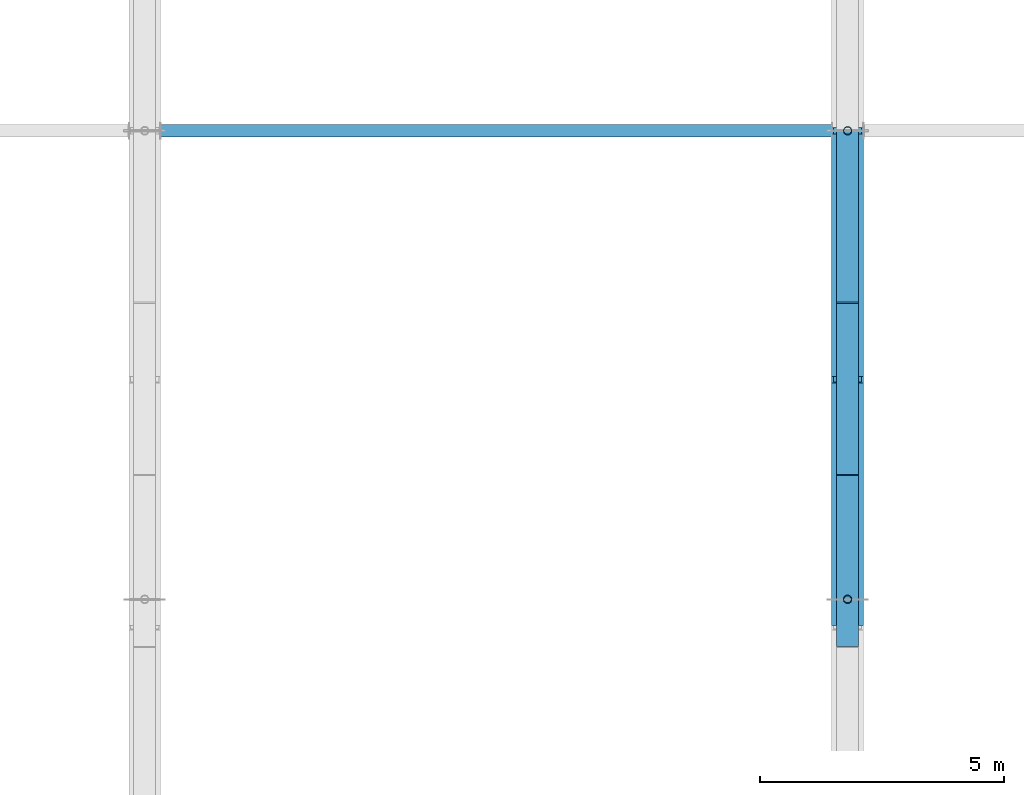
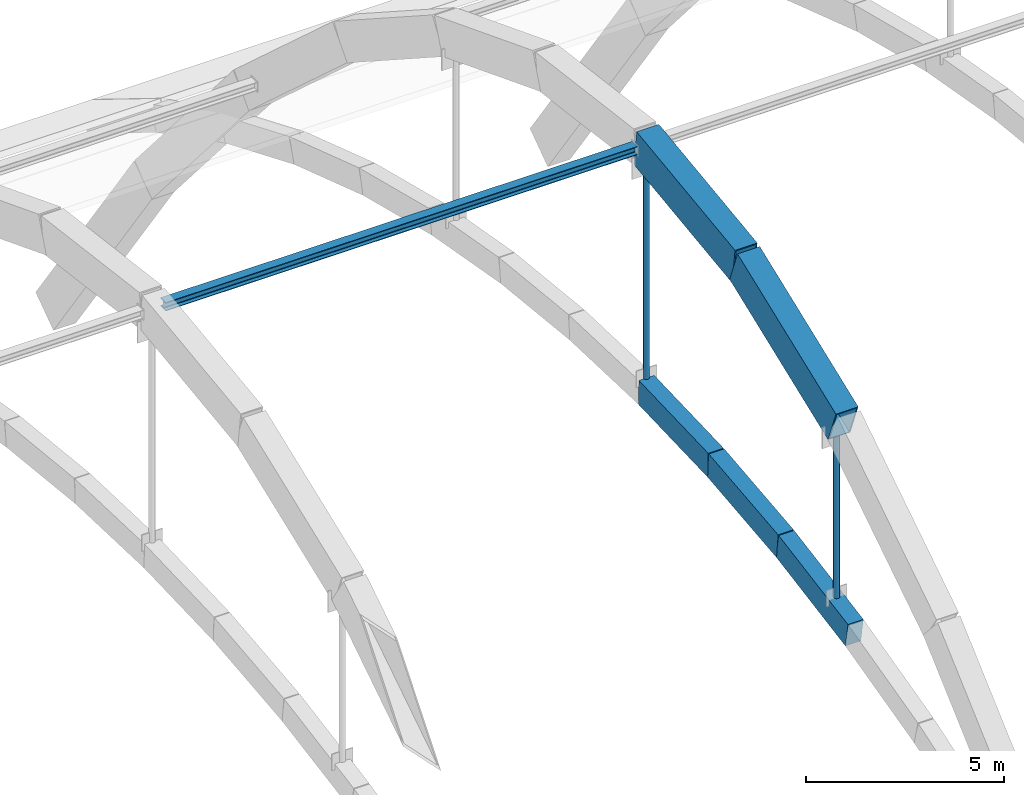
# One storey, part 21 of 64: 5 members, 3 beams.
"""IFC4 building model written with IfcOpenShell, lengths in metres."""

from ifc_helpers import new_model, si_unit, direction, frame, origin, origin_2d, place, context, subcontext, project, spatial, rectangle, hollow_rectangle, hollow_circle, i_section, extrude, material, material_profile, profile_set, type_object, element, save


model = new_model("IFC4")

# Units and contexts
model_context = context("Model", 3, precision=1e-05, world=origin(), true_north=direction((0.0, 1.0)))
body_context = subcontext(model_context, "Body", "Model", "MODEL_VIEW")
ifc_project = project(units=[si_unit("LENGTHUNIT", "METRE"), si_unit("AREAUNIT", "SQUARE_METRE"), si_unit("VOLUMEUNIT", "CUBIC_METRE"), si_unit("PLANEANGLEUNIT", "RADIAN"), si_unit("MASSUNIT", "GRAM", prefix="KILO")], contexts=[model_context])

# Site, building, storey
site_placement = place(None, origin())
site = spatial("IfcSite", under=ifc_project, at=site_placement, CompositionType="ELEMENT")
building_placement = place(site_placement, origin())
building = spatial("IfcBuilding", under=site, at=building_placement, Name="Leyfeld Transit Interchange", CompositionType="ELEMENT")
storey_placement = place(building_placement, frame((0.0, 0.0, 9.60009765625)))
storey = spatial("IfcBuildingStorey", under=building, at=storey_placement, Name="L02", CompositionType="ELEMENT", Elevation=9.60009765625)

# Beams
ifc_material_1 = material(Name="Concrete C40/50", Category="concrete")
ifc_material_profile_1 = material_profile(ifc_material_1, rectangle(XDim=0.449951171875, YDim=0.75, at=origin_2d()), Name="RC 750x450 RIB")
ifc_profile_set_1 = profile_set([ifc_material_profile_1], Name="Concrete C40/50")
beam_type = type_object("IfcBeamType", Name="BM-RIB-750x450", PredefinedType="USERDEFINED", material=ifc_profile_set_1)
beam_1_placement = place(storey_placement, frame((72.0, 21.89990234375, 6.3251953125), z_axis=(0.0, 0.984546197367, 0.175125056033), x_axis=(-1.0, 0.0, 0.0)))
element("IfcBeam", 1, at=beam_1_placement, inside=storey, type_object=beam_type, Name="Concourse Vault Rib A6 Seg 6", ObjectType="ARCH_RIB", PredefinedType="USERDEFINED", context=body_context, shape_type="SweptSolid", body=[
    extrude(rectangle(XDim=0.449951171875, YDim=0.75, at=origin_2d()), origin(), (0.0, 0.0, 1.0), 3.554931640625),
])
beam_2_placement = place(storey_placement, frame((72.0, 25.39990234375, 6.94775390625), z_axis=(0.0, 0.99446241795, 0.105092812723), x_axis=(-1.0, 0.0, 0.0)))
element("IfcBeam", 2, at=beam_2_placement, inside=storey, type_object=beam_type, Name="Concourse Vault Rib A6 Seg 7", ObjectType="ARCH_RIB", PredefinedType="USERDEFINED", context=body_context, shape_type="SweptSolid", body=[
    extrude(rectangle(XDim=0.449951171875, YDim=0.75, at=origin_2d()), origin(), (0.0, 0.0, 1.0), 3.51953125),
])
beam_3_placement = place(storey_placement, frame((72.0, 28.89990234375, 7.317626953125), z_axis=(0.0, 0.999387477159, 0.034995292518), x_axis=(-1.0, 0.0, 0.0)))
element("IfcBeam", 3, at=beam_3_placement, inside=storey, type_object=beam_type, Name="Concourse Vault Rib A6 Seg 8", ObjectType="ARCH_RIB", PredefinedType="USERDEFINED", context=body_context, shape_type="SweptSolid", body=[
    extrude(rectangle(XDim=0.449951171875, YDim=0.75, at=origin_2d()), origin(), (0.0, 0.0, 1.0), 3.502197265625),
])

# Members
ifc_material_2 = material(Name="Steel S355J2 - Ochre Arch", Category="steel")
ifc_material_profile_2 = material_profile(ifc_material_2, hollow_rectangle(XDim=0.64990234375, YDim=1.10009765625, WallThickness=0.035888671875, at=origin_2d()), Name="RHS 1100x650x36")
ifc_profile_set_2 = profile_set([ifc_material_profile_2], Name="Steel S355J2 - Ochre Arch")
member_type_1 = type_object("IfcMemberType", Name="MEM-ARCH-1100", PredefinedType="USERDEFINED", material=ifc_profile_set_2)
member_1_placement = place(storey_placement, frame((72.0, 22.466796875, 12.433349609375), z_axis=(0.0, 0.932424670612, 0.361364405599), x_axis=(-1.0, 0.0, 0.0)))
element("IfcMember", 4, at=member_1_placement, inside=storey, type_object=member_type_1, Name="Primary Steel Arch AR-05 Seg 5", ObjectType="ARCH_SEGMENT", PredefinedType="USERDEFINED", context=body_context, shape_type="SweptSolid", body=[
    extrude(hollow_rectangle(XDim=0.64990234375, YDim=1.10009765625, WallThickness=0.035888671875, at=origin_2d()), origin(), (0.0, 0.0, 1.0), 5.326416015625),
])
member_2_placement = place(storey_placement, frame((72.0, 27.433349609375, 14.358154296875), z_axis=(0.0, 0.991752498374, 0.128167788341), x_axis=(-1.0, 0.0, 0.0)))
element("IfcMember", 5, at=member_2_placement, inside=storey, type_object=member_type_1, Name="Primary Steel Arch AR-05 Seg 6", ObjectType="ARCH_SEGMENT", PredefinedType="USERDEFINED", context=body_context, shape_type="SweptSolid", body=[
    extrude(hollow_rectangle(XDim=0.64990234375, YDim=1.10009765625, WallThickness=0.035888671875, at=origin_2d()), origin(), (0.0, 0.0, 1.0), 5.0078125),
])
ifc_material_3 = material(Name="Steel S355J2", Category="steel")
ifc_material_profile_3 = material_profile(ifc_material_3, i_section(OverallWidth=0.260009765625, OverallDepth=0.260009765625, WebThickness=0.010009765625, FlangeThickness=0.017578125, FilletRadius=0.02392578125, at=origin_2d()), Name="HEB 260")
ifc_profile_set_3 = profile_set([ifc_material_profile_3], Name="Steel S355J2")
member_type_2 = type_object("IfcMemberType", Name="MEM-CHD-HEB260", PredefinedType="CHORD", material=ifc_profile_set_3)
member_3_placement = place(storey_placement, frame((57.925048828125, 32.39990234375, 15.0), z_axis=(1.0, 0.0, 0.0), x_axis=(0.0, 1.0, 0.0)))
element("IfcMember", 6, at=member_3_placement, inside=storey, type_object=member_type_2, Name="Arch Longitudinal Tie Chord B5 T2", PredefinedType="CHORD", context=body_context, shape_type="SweptSolid", body=[
    extrude(i_section(OverallWidth=0.260009765625, OverallDepth=0.260009765625, WebThickness=0.010009765625, FlangeThickness=0.017578125, FilletRadius=0.02392578125, at=origin_2d()), origin(), (0.0, 0.0, 1.0), 13.75),
])
ifc_material_profile_4 = material_profile(ifc_material_3, hollow_circle(Radius=0.084228515625, WallThickness=0.008056640625, at=origin_2d()), Name="CHS 168.3x8")
ifc_profile_set_4 = profile_set([ifc_material_profile_4], Name="Steel S355J2")
member_type_3 = type_object("IfcMemberType", Name="MEM-HGR-168", PredefinedType="USERDEFINED", material=ifc_profile_set_4)
member_4_placement = place(storey_placement, frame((72.0, 22.800048828125, 6.885009765625), z_axis=(0.0, 0.0, 1.0), x_axis=(1.0, 0.0, 0.0)))
element("IfcMember", 7, at=member_4_placement, inside=storey, type_object=member_type_3, Name="Arch Tension Hanger AR-05 H3", ObjectType="SUSPENDER", PredefinedType="USERDEFINED", context=body_context, shape_type="SweptSolid", body=[
    extrude(hollow_circle(Radius=0.084228515625, WallThickness=0.008056640625, at=origin_2d()), origin(), (0.0, 0.0, 1.0), 5.087646484375),
])
member_5_placement = place(storey_placement, frame((72.0, 32.39990234375, 7.815185546875), z_axis=(0.0, 0.0, 1.0), x_axis=(1.0, 0.0, 0.0)))
element("IfcMember", 8, at=member_5_placement, inside=storey, type_object=member_type_3, Name="Arch Tension Hanger AR-05 H4", ObjectType="SUSPENDER", PredefinedType="USERDEFINED", context=body_context, shape_type="SweptSolid", body=[
    extrude(hollow_circle(Radius=0.084228515625, WallThickness=0.008056640625, at=origin_2d()), origin(), (0.0, 0.0, 1.0), 6.630126953125),
])

save(model, "model.ifc")
